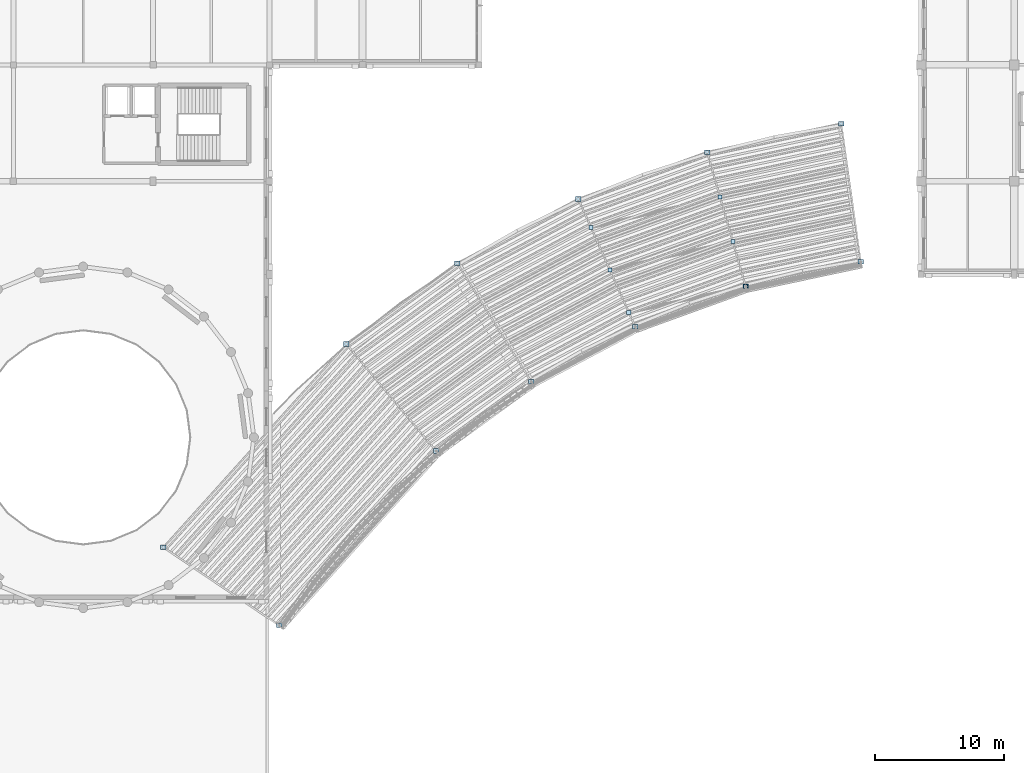
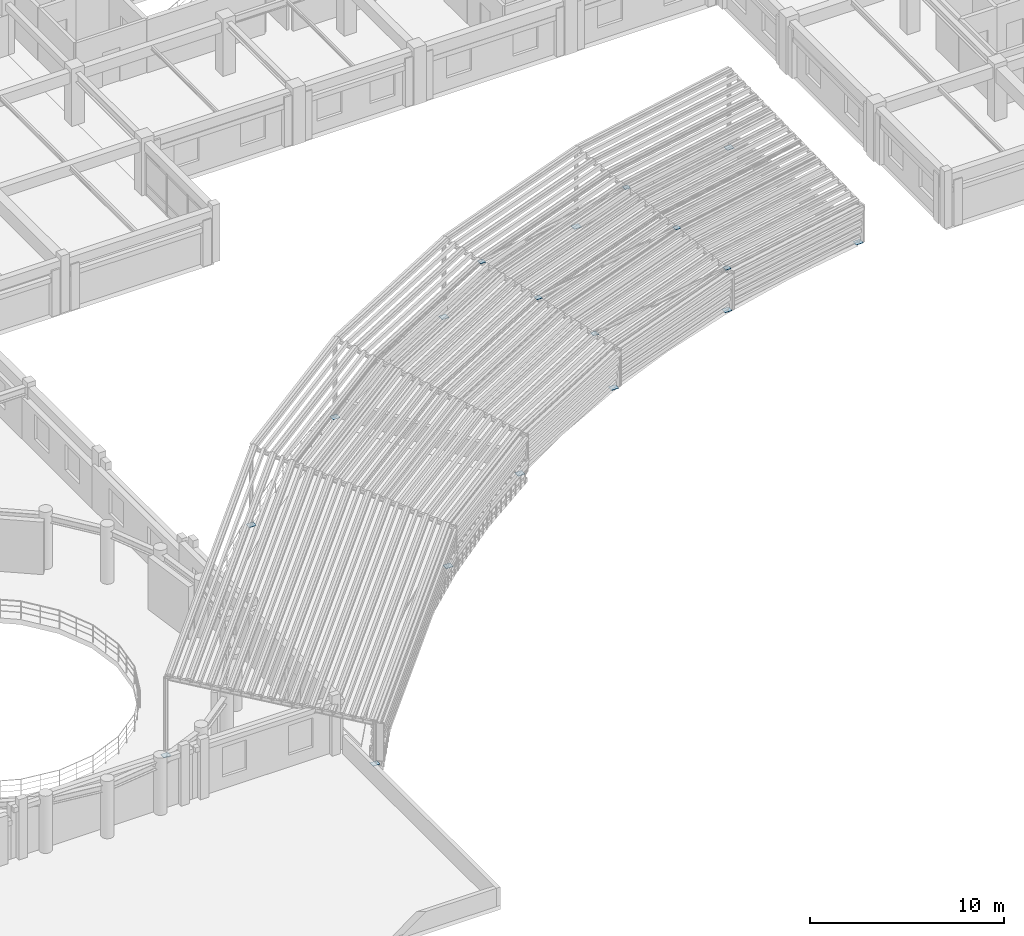
# One storey, part 45 of 74: 18 plates.
"""IFC4 building model written with IfcOpenShell, lengths in metres."""

from ifc_helpers import new_model, si_unit, direction, frame, origin, origin_2d, place, context, subcontext, project, spatial, rectangle, extrude, material, layer, layer_set, type_object, element, save


model = new_model("IFC4")

# Units and contexts
model_context = context("Model", 3, precision=1e-05, world=origin(), true_north=direction((0.0, 1.0)))
body_context = subcontext(model_context, "Body", "Model", "MODEL_VIEW")
ifc_project = project(units=[si_unit("LENGTHUNIT", "METRE"), si_unit("AREAUNIT", "SQUARE_METRE"), si_unit("VOLUMEUNIT", "CUBIC_METRE"), si_unit("PLANEANGLEUNIT", "RADIAN"), si_unit("MASSUNIT", "GRAM", prefix="KILO")], contexts=[model_context])

# Site, building, storey
site_placement = place(None, origin())
site = spatial("IfcSite", under=ifc_project, at=site_placement, CompositionType="ELEMENT")
building_placement = place(site_placement, origin())
building = spatial("IfcBuilding", under=site, at=building_placement, Name="Clarverna Civic Hall", CompositionType="ELEMENT")
storey_placement = place(building_placement, frame((0.0, 0.0, 13.199951171875)))
storey = spatial("IfcBuildingStorey", under=building, at=storey_placement, Name="L03", CompositionType="ELEMENT", Elevation=13.199951171875)

# Plates
ifc_material = material(Name="Steel S355", Category="steel")
ifc_layer_1 = layer(ifc_material, 0.02197265625)
ifc_layer_set_1 = layer_set([ifc_layer_1], Name="Steel S355")
plate_type_1 = type_object("IfcPlateType", Name="NP-06", PredefinedType="SHEET", material=ifc_layer_set_1)
for number, where, z_axis, x_axis, name in (
    (1, (134.0283203125, 70.67431640625, 2.64013671875), (0.0, 0.0, 1.0), (1.0, 0.0, 0.0), "NP-06-001"),
    (2, (124.99267578125, 68.659423828125, 2.901123046875), (0.0, 0.0, 1.0), (1.0, 0.0, 0.0), "NP-06-002"),
    (3, (133.0361328125, 74.134765625, 3.42333984375), (0.0, 0.0, 1.0), (1.0, 0.0, 0.0), "NP-06-003"),
    (4, (123.5283203125, 71.9482421875, 3.6845703125), (0.0, 0.0, 1.0), (1.0, 0.0, 0.0), "NP-06-004"),
    (5, (132.0439453125, 77.59521484375, 4.206787109375), (0.0, 0.0, 1.0), (1.0, 0.0, 0.0), "NP-06-005"),
    (6, (122.064208984375, 75.23681640625, 4.4677734375), (0.0, 0.0, 1.0), (1.0, 0.0, 0.0), "NP-06-006"),
):
    element("IfcPlate", number, at=place(storey_placement, frame(where, z_axis=z_axis, x_axis=x_axis)), inside=storey, type_object=plate_type_1, Name=name, PredefinedType="SHEET", context=body_context, shape_type="SweptSolid", body=[
        extrude(rectangle(XDim=0.320068359375, YDim=0.320068359375, at=origin_2d()), origin(), (0.0, 0.0, 1.0), 0.02197265625),
    ])
ifc_layer_2 = layer(ifc_material, 0.01806640625)
ifc_layer_set_2 = layer_set([ifc_layer_2], Name="Steel S355")
plate_type_2 = type_object("IfcPlateType", Name="NP-10", PredefinedType="SHEET", material=ifc_layer_set_2)
for number, where, z_axis, x_axis, name in (
    (7, (142.92578125, 72.5654296875, -0.010009765625), (0.0, 0.0, 1.0), (1.0, 0.0, 0.0), "NP-10-001"),
    (8, (141.4228515625, 83.260498046875, -0.010009765625), (0.0, 0.0, 1.0), (1.0, 0.0, 0.0), "NP-10-002"),
    (9, (134.0283203125, 70.67431640625, -0.010009765625), (0.0, 0.0, 1.0), (1.0, 0.0, 0.0), "NP-10-003"),
    (10, (131.051513671875, 81.055908203125, -0.010009765625), (0.0, 0.0, 1.0), (1.0, 0.0, 0.0), "NP-10-004"),
    (11, (125.480712890625, 67.563232421875, -0.010009765625), (0.0, 0.0, 1.0), (1.0, 0.0, 0.0), "NP-10-005"),
    (12, (121.087890625, 77.429443359375, -0.010009765625), (0.0, 0.0, 1.0), (1.0, 0.0, 0.0), "NP-10-006"),
    (13, (117.44921875, 63.292724609375, -0.010009765625), (0.0, 0.0, 1.0), (1.0, 0.0, 0.0), "NP-10-007"),
    (14, (111.72607421875, 72.45166015625, -0.010009765625), (0.0, 0.0, 1.0), (1.0, 0.0, 0.0), "NP-10-008"),
    (15, (110.090087890625, 57.946044921875, -0.010009765625), (0.0, 0.0, 1.0), (1.0, 0.0, 0.0), "NP-10-009"),
    (16, (103.148193359375, 66.219482421875, -0.010009765625), (0.0, 0.0, 1.0), (1.0, 0.0, 0.0), "NP-10-010"),
    (17, (97.94677734375, 44.45947265625, -0.010009765625), (0.0, 0.0, 1.0), (1.0, 0.0, 0.0), "NP-10-011"),
    (18, (88.9931640625, 50.498779296875, -0.010009765625), (0.0, 0.0, 1.0), (1.0, 0.0, 0.0), "NP-10-012"),
):
    element("IfcPlate", number, at=place(storey_placement, frame(where, z_axis=z_axis, x_axis=x_axis)), inside=storey, type_object=plate_type_2, Name=name, PredefinedType="SHEET", context=body_context, shape_type="SweptSolid", body=[
        extrude(rectangle(XDim=0.419921875, YDim=0.360107421875, at=origin_2d()), origin(), (0.0, 0.0, 1.0), 0.02197265625),
    ])

save(model, "model.ifc")
